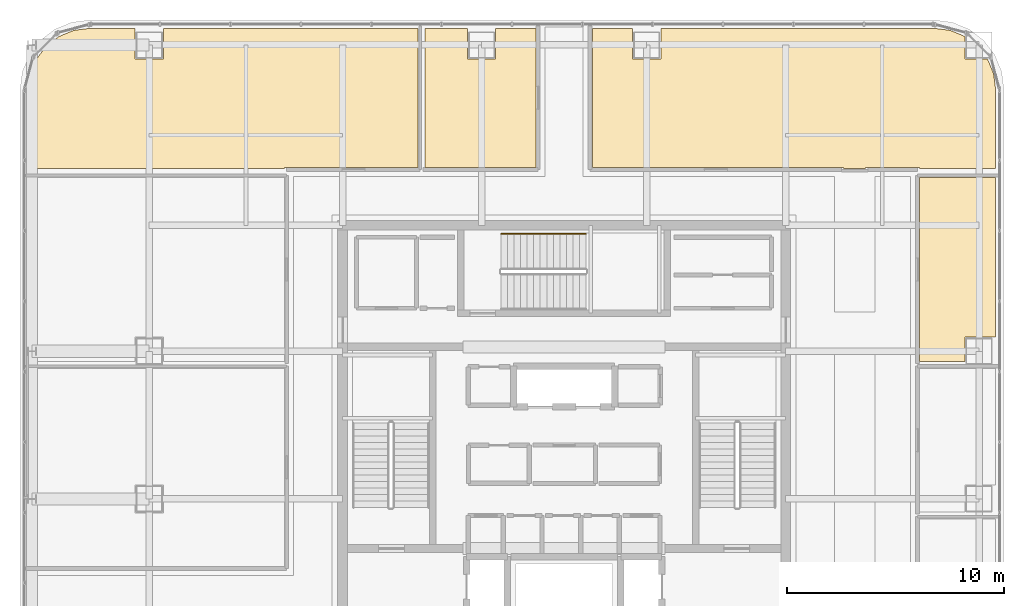
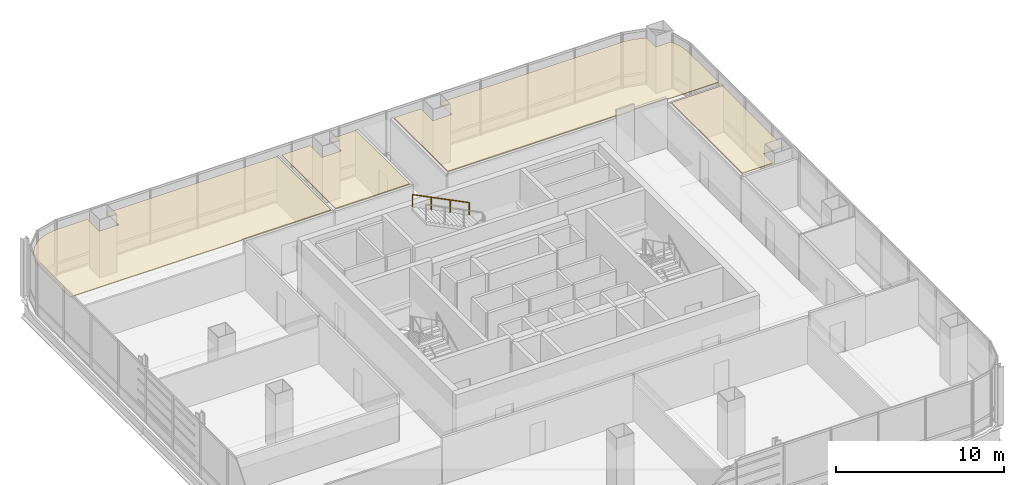
# One storey, part 43 of 43: 4 coverings, 1 railing.
"""IFC4 building model written with IfcOpenShell, lengths in metres."""

from ifc_helpers import new_model, si_unit, direction, frame, origin, origin_2d, place, context, subcontext, project, spatial, polyline, circle, outline, extrude, material, layer, layer_set, type_object, element, save


model = new_model("IFC4")

# Units and contexts
model_context = context("Model", 3, precision=1e-05, world=origin(), true_north=direction((0.0, 1.0)))
body_context = subcontext(model_context, "Body", "Model", "MODEL_VIEW")
ifc_project = project(units=[si_unit("LENGTHUNIT", "METRE"), si_unit("AREAUNIT", "SQUARE_METRE"), si_unit("VOLUMEUNIT", "CUBIC_METRE"), si_unit("PLANEANGLEUNIT", "RADIAN"), si_unit("MASSUNIT", "GRAM", prefix="KILO")], contexts=[model_context])

# Site, building, storey
site_placement = place(None, origin())
site = spatial("IfcSite", under=ifc_project, at=site_placement, CompositionType="ELEMENT")
building_placement = place(site_placement, origin())
building = spatial("IfcBuilding", under=site, at=building_placement, Name="Punatoya Terracotta Tower", CompositionType="ELEMENT")
storey_placement = place(building_placement, frame((0.0, 0.0, 321.60009765625)))
storey = spatial("IfcBuildingStorey", under=building, at=storey_placement, Name="L76", CompositionType="ELEMENT", Elevation=321.60009765625)

# Coverings
ifc_material_1 = material(Name="Acoustic Mineral Fibre Ceiling")
ifc_layer = layer(ifc_material_1, 0.06005859375)
ifc_layer_set = layer_set([ifc_layer], Name="Acoustic Mineral Fibre Ceiling")
covering_type = type_object("IfcCoveringType", Name="COV-CEIL-60", PredefinedType="CEILING", material=ifc_layer_set)
covering_1_placement = place(storey_placement, frame((0.0, 0.0, 3.389892578125)))
element("IfcCovering", 1, at=covering_1_placement, inside=storey, type_object=covering_type, Name="L76 Open-Plan Systems Engineering Office Acoustic Ceiling", PredefinedType="CEILING", context=body_context, shape_type="SweptSolid", body=[
    extrude(outline(polyline([(16.3701171875, 11.389892578125), (16.3701171875, 2.931884765625), (18.449951171875, 2.931884765625), (18.449951171875, 4.050048828125), (19.8701171875, 4.050048828125), (19.8701171875, 11.389892578125), (16.3701171875, 11.389892578125)])), origin(), (0.0, 0.0, 1.0), 0.06005859375),
])
covering_2_placement = place(storey_placement, frame((0.0, 0.0, 3.389892578125)))
element("IfcCovering", 2, at=covering_2_placement, inside=storey, type_object=covering_type, Name="L76 Open-Plan Quantitative Practice Office Acoustic Ceiling", PredefinedType="CEILING", context=body_context, shape_type="SweptSolid", body=[
    extrude(outline(polyline([(-19.75, 18.27001953125), (-21.8251953125, 18.27001953125), (-22.5791015625, 18.1708984375), (-23.25830078125, 17.889404296875), (-23.841796875, 17.441650390625), (-24.289306640625, 16.8583984375), (-24.57080078125, 16.178955078125), (-24.669921875, 15.425048828125), (-24.669921875, 11.81005859375), (-12.8701171875, 11.81005859375), (-12.8701171875, 11.8701171875), (-6.72705078125, 11.8701171875), (-6.72705078125, 18.27001953125), (-18.449951171875, 18.27001953125), (-18.449951171875, 16.85009765625), (-19.75, 16.85009765625), (-19.75, 18.27001953125)])), origin(), (0.0, 0.0, 1.0), 0.06005859375),
])
covering_3_placement = place(storey_placement, frame((0.0, 0.0, 3.389892578125)))
element("IfcCovering", 3, at=covering_3_placement, inside=storey, type_object=covering_type, Name="L76 Open-Plan Regional Operations Office Acoustic Ceiling", PredefinedType="CEILING", context=body_context, shape_type="SweptSolid", body=[
    extrude(outline(polyline([(3.14990234375, 18.27001953125), (1.300048828125, 18.27001953125), (1.300048828125, 11.8701171875), (12.8701171875, 11.8701171875), (12.8701171875, 11.81005859375), (13.8798828125, 11.81005859375), (13.8798828125, 11.8701171875), (16.3701171875, 11.8701171875), (16.3701171875, 11.81005859375), (19.8701171875, 11.81005859375), (19.8701171875, 15.425048828125), (19.770751953125, 16.178955078125), (19.492919921875, 16.85009765625), (18.449951171875, 16.85009765625), (18.449951171875, 17.892822265625), (17.779052734375, 18.1708984375), (17.025146484375, 18.27001953125), (4.449951171875, 18.27001953125), (4.449951171875, 16.85009765625), (3.14990234375, 16.85009765625), (3.14990234375, 18.27001953125)])), origin(), (0.0, 0.0, 1.0), 0.06005859375),
])
covering_4_placement = place(storey_placement, frame((0.0, 0.0, 3.389892578125)))
element("IfcCovering", 4, at=covering_4_placement, inside=storey, type_object=covering_type, Name="L76 Open-Plan Global Desk Workplace Acoustic Ceiling", PredefinedType="CEILING", context=body_context, shape_type="SweptSolid", body=[
    extrude(outline(polyline([(-4.449951171875, 16.85009765625), (-4.449951171875, 18.27001953125), (-6.406982421875, 18.27001953125), (-6.406982421875, 11.8701171875), (-1.300048828125, 11.8701171875), (-1.300048828125, 18.27001953125), (-3.14990234375, 18.27001953125), (-3.14990234375, 16.85009765625), (-4.449951171875, 16.85009765625)])), origin(), (0.0, 0.0, 1.0), 0.06005859375),
])

# Railing
ifc_material_2 = material(Name="Steel S355", Category="steel")
railing_type = type_object("IfcRailingType", Name="RLG-HND-900", PredefinedType="HANDRAIL", material=ifc_material_2)
railing_placement = place(storey_placement, frame((1.0, 8.800048828125, 2.25)))
element("IfcRailing", 5, at=railing_placement, inside=storey, type_object=railing_type, Name="L76 ST-3 stair handrail 2", PredefinedType="HANDRAIL", context=body_context, shape_type="SweptSolid", body=[
    extrude(circle(Radius=0.02392578125, at=origin_2d()), frame((0.0, 0.0, 0.8759765625), z_axis=(-0.894427191, 0.0, 0.4472135955), x_axis=(0.0, -1.0, 0.0)), (0.0, 0.0, 1.0), 4.360107421875),
    extrude(circle(Radius=0.02099609375, at=origin_2d()), origin(), (0.0, 0.0, 1.0), 0.851806640625),
    extrude(circle(Radius=0.02099609375, at=origin_2d()), frame((-1.300048828125, 0.0, 0.64990234375)), (0.0, 0.0, 1.0), 0.851806640625),
    extrude(circle(Radius=0.02099609375, at=origin_2d()), frame((-2.599853515625, 0.0, 1.300048828125)), (0.0, 0.0, 1.0), 0.851806640625),
    extrude(circle(Radius=0.02099609375, at=origin_2d()), frame((-3.89990234375, 0.0, 1.949951171875)), (0.0, 0.0, 1.0), 0.851806640625),
])

save(model, "model.ifc")
